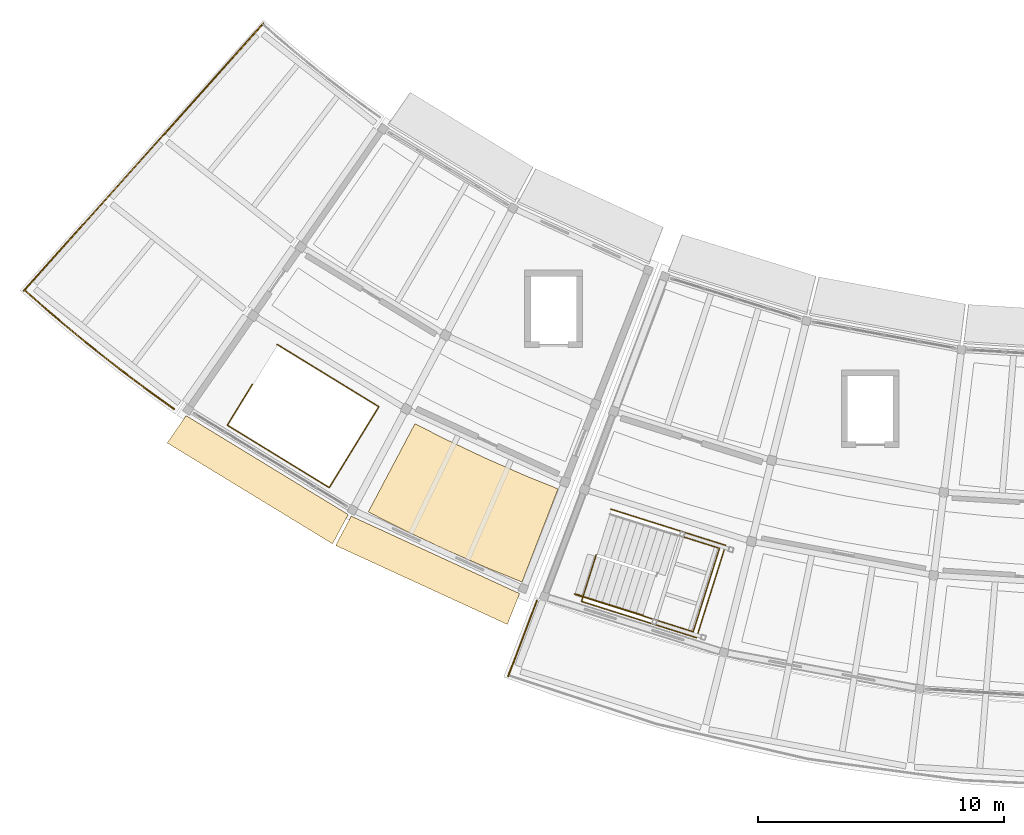
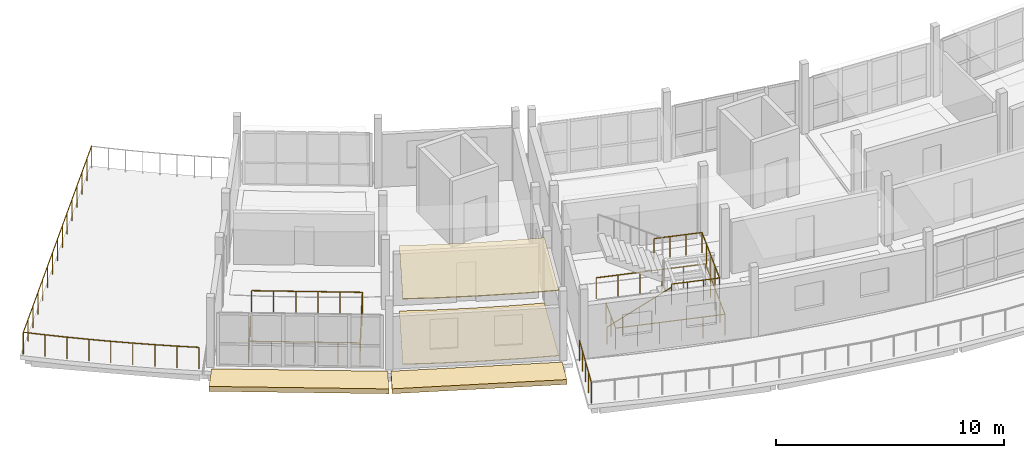
# One storey, part 20 of 24: 7 railings, 4 coverings.
"""IFC4 building model written with IfcOpenShell, lengths in metres."""

from ifc_helpers import new_model, si_unit, direction, frame, origin, origin_2d, place, context, subcontext, project, spatial, polyline, circle, outline, extrude, material, layer, layer_set, type_object, element, save


model = new_model("IFC4")

# Units and contexts
model_context = context("Model", 3, precision=1e-05, world=origin(), true_north=direction((0.0, 1.0)))
body_context = subcontext(model_context, "Body", "Model", "MODEL_VIEW")
ifc_project = project(units=[si_unit("LENGTHUNIT", "METRE"), si_unit("AREAUNIT", "SQUARE_METRE"), si_unit("VOLUMEUNIT", "CUBIC_METRE"), si_unit("PLANEANGLEUNIT", "RADIAN"), si_unit("MASSUNIT", "GRAM", prefix="KILO")], contexts=[model_context])

# Site, building, storey
site_placement = place(None, origin())
site = spatial("IfcSite", under=ifc_project, at=site_placement, CompositionType="ELEMENT")
building_placement = place(site_placement, origin())
building = spatial("IfcBuilding", under=site, at=building_placement, Name="Caldaven Crescent School", CompositionType="ELEMENT")
storey_placement = place(building_placement, frame((0.0, 0.0, 15.639892578125)))
storey = spatial("IfcBuildingStorey", under=building, at=storey_placement, Name="L04", CompositionType="ELEMENT", Elevation=15.639892578125)

# Coverings
ifc_material_1 = material(Name="White architectural GFRC precast concrete C35/45 cladding", Category="concrete")
ifc_layer_1 = layer(ifc_material_1, 0.260009765625)
ifc_layer_set_1 = layer_set([ifc_layer_1], Name="White architectural GFRC precast concrete C35/45 cladding")
covering_type_1 = type_object("IfcCoveringType", Name="COV-CLD2", PredefinedType="CLADDING", material=ifc_layer_set_1)
covering_1_placement = place(storey_placement, frame((0.0, 0.0, -0.260009765625)))
element("IfcCovering", 1, at=covering_1_placement, inside=storey, type_object=covering_type_1, Name="CLD-OUT-L04-080", PredefinedType="CLADDING", context=body_context, shape_type="SweptSolid", body=[
    extrude(outline(polyline([(50.0810546875, 41.24853515625), (56.671630859375, 37.228515625), (56.03662109375, 36.037109375), (49.3125, 40.138916015625), (50.0810546875, 41.24853515625)])), origin(), (0.0, 0.0, 1.0), 0.260009765625),
])
covering_2_placement = place(storey_placement, frame((0.0, 0.0, -0.260009765625)))
element("IfcCovering", 2, at=covering_2_placement, inside=storey, type_object=covering_type_1, Name="CLD-OUT-L04-082", PredefinedType="CLADDING", context=body_context, shape_type="SweptSolid", body=[
    extrude(outline(polyline([(56.794677734375, 37.1630859375), (63.64013671875, 34.014892578125), (63.146484375, 32.75830078125), (56.162353515625, 35.970458984375), (56.794677734375, 37.1630859375)])), origin(), (0.0, 0.0, 1.0), 0.260009765625),
])
ifc_material_2 = material(Name="Perforated Pino Radiata acoustic timber baffle ceiling", Category="wood")
ifc_layer_2 = layer(ifc_material_2, 0.0380859375)
ifc_layer_set_2 = layer_set([ifc_layer_2], Name="Perforated Pino Radiata acoustic timber baffle ceiling")
covering_type_2 = type_object("IfcCoveringType", Name="COV-CLG2", PredefinedType="CEILING", material=ifc_layer_set_2)
covering_3_placement = place(storey_placement, frame((0.0, 0.0, 3.4921875)))
element("IfcCovering", 3, at=covering_3_placement, inside=storey, type_object=covering_type_2, Name="CLG-L04-185", PredefinedType="CEILING", context=body_context, shape_type="SweptSolid", body=[
    extrude(outline(polyline([(60.60498046875, 40.302490234375), (60.616943359375, 40.296875), (62.25390625, 39.521484375), (62.26611328125, 39.51611328125), (63.925048828125, 38.789306640625), (63.937255859375, 38.7841796875), (65.205810546875, 38.272216796875), (63.7421875, 34.4853515625), (62.356689453125, 35.044189453125), (60.576416015625, 35.82421875), (58.819580078125, 36.656494140625), (57.489013671875, 37.335205078125), (59.38671875, 40.92431640625), (60.60498046875, 40.302490234375)])), origin(), (0.0, 0.0, 1.0), 0.037841796875),
])
ifc_material_3 = material(Name="Polished terrazzo and acoustic linoleum flooring")
ifc_layer_3 = layer(ifc_material_3, 0.031982421875)
ifc_layer_set_3 = layer_set([ifc_layer_3], Name="Polished terrazzo and acoustic linoleum flooring")
covering_type_3 = type_object("IfcCoveringType", Name="COV-FLR3", PredefinedType="FLOORING", material=ifc_layer_set_3)
covering_4_placement = place(storey_placement, origin())
element("IfcCovering", 4, at=covering_4_placement, inside=storey, type_object=covering_type_3, Name="FLR-L04-185", PredefinedType="FLOORING", context=body_context, shape_type="SweptSolid", body=[
    extrude(outline(polyline([(59.38671875, 40.92431640625), (60.60498046875, 40.302490234375), (60.616943359375, 40.296875), (62.25390625, 39.521484375), (62.26611328125, 39.51611328125), (63.925048828125, 38.789306640625), (63.937255859375, 38.7841796875), (65.205810546875, 38.272216796875), (63.7421875, 34.4853515625), (62.356689453125, 35.044189453125), (60.576416015625, 35.82421875), (58.819580078125, 36.656494140625), (57.489013671875, 37.335205078125), (59.38671875, 40.92431640625)])), origin(), (0.0, 0.0, 1.0), 0.0322265625),
])

# Railings
ifc_material_4 = material(Name="Galvanised powder-coated steel balustrade ASTM A572 Grade 50", Category="steel")
railing_type_1 = type_object("IfcRailingType", Name="RAL-EXT2", PredefinedType="BALUSTRADE", material=ifc_material_4)
railing_1_placement = place(storey_placement, frame((64.344970703125, 33.72119140625, 0.0)))
element("IfcRailing", 5, at=railing_1_placement, inside=storey, type_object=railing_type_1, Name="GD-BT-L04-C-END0", PredefinedType="BALUSTRADE", context=body_context, shape_type="SweptSolid", body=[
    extrude(circle(Radius=0.02392578125, at=origin_2d()), frame((0.0, 0.0, 1.09619140625), z_axis=(-0.355100690227, -0.93482805895, 0.0), x_axis=(0.93482805895, -0.355100690227, 0.0)), (0.0, 0.0, 1.0), 3.2802734375),
    extrude(circle(Radius=0.02099609375, at=origin_2d()), origin(), (0.0, 0.0, 1.0), 1.072021484375),
    extrude(circle(Radius=0.02099609375, at=origin_2d()), frame((-0.291259765625, -0.7666015625, 0.0)), (0.0, 0.0, 1.0), 1.072021484375),
    extrude(circle(Radius=0.02099609375, at=origin_2d()), frame((-0.58251953125, -1.533203125, 0.0)), (0.0, 0.0, 1.0), 1.072021484375),
    extrude(circle(Radius=0.02099609375, at=origin_2d()), frame((-0.87353515625, -2.2998046875, 0.0)), (0.0, 0.0, 1.0), 1.072021484375),
    extrude(circle(Radius=0.02099609375, at=origin_2d()), frame((-1.164794921875, -3.06640625, 0.0)), (0.0, 0.0, 1.0), 1.072021484375),
])
railing_type_2 = type_object("IfcRailingType", Name="RAL-EXT4", PredefinedType="BALUSTRADE", material=ifc_material_4)
railing_2_placement = place(storey_placement, frame((43.509521484375, 46.359619140625, 0.0)))
element("IfcRailing", 6, at=railing_2_placement, inside=storey, type_object=railing_type_2, Name="GD-BT-L04-W-OUT", PredefinedType="BALUSTRADE", context=body_context, shape_type="SweptSolid", body=[
    extrude(circle(Radius=0.02392578125, at=origin_2d()), frame((0.0, 0.0, 1.15576171875), z_axis=(0.749537537045, -0.661961842224, 0.0), x_axis=(0.661961842224, 0.749537537045, 0.0)), (0.0, 0.0, 1.0), 0.972900390625),
    extrude(circle(Radius=0.02392578125, at=origin_2d()), frame((0.729248046875, -0.64404296875, 1.15576171875), z_axis=(0.759114873081, -0.650956687858, 0.0), x_axis=(0.650956687858, 0.759114873081, 0.0)), (0.0, 0.0, 1.0), 0.972900390625),
    extrude(circle(Radius=0.02392578125, at=origin_2d()), frame((1.4677734375, -1.27734375, 1.15576171875), z_axis=(0.768653064022, -0.639665902772, 0.0), x_axis=(0.639665902772, 0.768653064022, 0.0)), (0.0, 0.0, 1.0), 0.972900390625),
    extrude(circle(Radius=0.02392578125, at=origin_2d()), frame((2.215576171875, -1.899658203125, 1.15576171875), z_axis=(0.777700505722, -0.628634968324, 0.0), x_axis=(0.628634968324, 0.777700505722, 0.0)), (0.0, 0.0, 1.0), 0.972900390625),
    extrude(circle(Radius=0.02392578125, at=origin_2d()), frame((2.97216796875, -2.51123046875, 1.15576171875), z_axis=(0.786927479185, -0.617045494679, 0.0), x_axis=(0.617045494679, 0.786927479185, 0.0)), (0.0, 0.0, 1.0), 0.972900390625),
    extrude(circle(Radius=0.02392578125, at=origin_2d()), frame((3.73779296875, -3.111572265625, 1.15576171875), z_axis=(0.79576561516, -0.6056047273, 0.0), x_axis=(0.6056047273, 0.79576561516, 0.0)), (0.0, 0.0, 1.0), 0.97314453125),
    extrude(circle(Radius=0.02392578125, at=origin_2d()), frame((4.51220703125, -3.700927734375, 1.15576171875), z_axis=(0.804614048975, -0.593798140947, 0.0), x_axis=(0.593798140947, 0.804614048975, 0.0)), (0.0, 0.0, 1.0), 0.972900390625),
    extrude(circle(Radius=0.02392578125, at=origin_2d()), frame((5.294921875, -4.278564453125, 1.15576171875), z_axis=(0.81305469343, -0.582187311345, 0.0), x_axis=(0.582187311345, 0.81305469343, 0.0)), (0.0, 0.0, 1.0), 0.972900390625),
    extrude(circle(Radius=0.02099609375, at=origin_2d()), origin(), (0.0, 0.0, 1.0), 1.1318359375),
    extrude(circle(Radius=0.02099609375, at=origin_2d()), frame((0.729248046875, -0.64404296875, 0.0)), (0.0, 0.0, 1.0), 1.1318359375),
    extrude(circle(Radius=0.02099609375, at=origin_2d()), frame((1.4677734375, -1.27734375, 0.0)), (0.0, 0.0, 1.0), 1.1318359375),
    extrude(circle(Radius=0.02099609375, at=origin_2d()), frame((2.215576171875, -1.899658203125, 0.0)), (0.0, 0.0, 1.0), 1.1318359375),
    extrude(circle(Radius=0.02099609375, at=origin_2d()), frame((2.97216796875, -2.51123046875, 0.0)), (0.0, 0.0, 1.0), 1.1318359375),
    extrude(circle(Radius=0.02099609375, at=origin_2d()), frame((3.73779296875, -3.111572265625, 0.0)), (0.0, 0.0, 1.0), 1.1318359375),
    extrude(circle(Radius=0.02099609375, at=origin_2d()), frame((4.51220703125, -3.700927734375, 0.0)), (0.0, 0.0, 1.0), 1.1318359375),
    extrude(circle(Radius=0.02099609375, at=origin_2d()), frame((5.294921875, -4.278564453125, 0.0)), (0.0, 0.0, 1.0), 1.1318359375),
    extrude(circle(Radius=0.02099609375, at=origin_2d()), frame((6.0859375, -4.844970703125, 0.0)), (0.0, 0.0, 1.0), 1.1318359375),
])
railing_3_placement = place(storey_placement, frame((53.227294921875, 57.2021484375, 0.0)))
element("IfcRailing", 7, at=railing_3_placement, inside=storey, type_object=railing_type_2, Name="GD-BT-L04-W-END", PredefinedType="BALUSTRADE", context=body_context, shape_type="SweptSolid", body=[
    extrude(circle(Radius=0.02392578125, at=origin_2d()), frame((0.0, 0.0, 1.15576171875), z_axis=(-0.66742321326, -0.744678624912, 0.0), x_axis=(0.744678624912, -0.66742321326, 0.0)), (0.0, 0.0, 1.0), 14.60009765625),
    extrude(circle(Radius=0.02099609375, at=origin_2d()), origin(), (0.0, 0.0, 1.0), 1.1318359375),
    extrude(circle(Radius=0.02099609375, at=origin_2d()), frame((-0.696044921875, -0.776611328125, 0.0)), (0.0, 0.0, 1.0), 1.1318359375),
    extrude(circle(Radius=0.02099609375, at=origin_2d()), frame((-1.39208984375, -1.55322265625, 0.0)), (0.0, 0.0, 1.0), 1.1318359375),
    extrude(circle(Radius=0.02099609375, at=origin_2d()), frame((-2.088134765625, -2.329833984375, 0.0)), (0.0, 0.0, 1.0), 1.1318359375),
    extrude(circle(Radius=0.02099609375, at=origin_2d()), frame((-2.7841796875, -3.1064453125, 0.0)), (0.0, 0.0, 1.0), 1.1318359375),
    extrude(circle(Radius=0.02099609375, at=origin_2d()), frame((-3.480224609375, -3.883056640625, 0.0)), (0.0, 0.0, 1.0), 1.1318359375),
    extrude(circle(Radius=0.02099609375, at=origin_2d()), frame((-4.17626953125, -4.65966796875, 0.0)), (0.0, 0.0, 1.0), 1.1318359375),
    extrude(circle(Radius=0.02099609375, at=origin_2d()), frame((-4.8720703125, -5.43603515625, 0.0)), (0.0, 0.0, 1.0), 1.1318359375),
    extrude(circle(Radius=0.02099609375, at=origin_2d()), frame((-5.568115234375, -6.212646484375, 0.0)), (0.0, 0.0, 1.0), 1.1318359375),
    extrude(circle(Radius=0.02099609375, at=origin_2d()), frame((-6.26416015625, -6.9892578125, 0.0)), (0.0, 0.0, 1.0), 1.1318359375),
    extrude(circle(Radius=0.02099609375, at=origin_2d()), frame((-6.960205078125, -7.765869140625, 0.0)), (0.0, 0.0, 1.0), 1.1318359375),
    extrude(circle(Radius=0.02099609375, at=origin_2d()), frame((-7.65625, -8.54248046875, 0.0)), (0.0, 0.0, 1.0), 1.1318359375),
    extrude(circle(Radius=0.02099609375, at=origin_2d()), frame((-8.352294921875, -9.319091796875, 0.0)), (0.0, 0.0, 1.0), 1.1318359375),
    extrude(circle(Radius=0.02099609375, at=origin_2d()), frame((-9.04833984375, -10.095703125, 0.0)), (0.0, 0.0, 1.0), 1.1318359375),
    extrude(circle(Radius=0.02099609375, at=origin_2d()), frame((-9.744384765625, -10.872314453125, 0.0)), (0.0, 0.0, 1.0), 1.1318359375),
])
ifc_material_5 = material(Name="Brushed stainless-steel continuous tubular handrail", Category="steel")
railing_type_3 = type_object("IfcRailingType", Name="RAL-HR4", PredefinedType="HANDRAIL", material=ifc_material_5)
railing_4_placement = place(storey_placement, frame((65.89111328125, 33.993408203125, 0.173095703125)))
element("IfcRailing", 8, at=railing_4_placement, inside=storey, type_object=railing_type_3, Name="HR-ST2-L04-F1", PredefinedType="HANDRAIL", context=body_context, shape_type="SweptSolid", body=[
    extrude(circle(Radius=0.02392578125, at=origin_2d()), frame((0.0, 0.0, 0.916015625), z_axis=(0.822759414235, -0.259436496085, 0.50572685393), x_axis=(0.300728414298, 0.953709820036, 0.0)), (0.0, 0.0, 1.0), 3.361328125),
    extrude(circle(Radius=0.02099609375, at=origin_2d()), origin(), (0.0, 0.0, 1.0), 0.891845703125),
    extrude(circle(Radius=0.02099609375, at=origin_2d()), frame((0.69140625, -0.218017578125, 0.425048828125)), (0.0, 0.0, 1.0), 0.891845703125),
    extrude(circle(Radius=0.02099609375, at=origin_2d()), frame((1.3828125, -0.43603515625, 0.85009765625)), (0.0, 0.0, 1.0), 0.891845703125),
    extrude(circle(Radius=0.02099609375, at=origin_2d()), frame((2.07421875, -0.654052734375, 1.27490234375)), (0.0, 0.0, 1.0), 0.891845703125),
    extrude(circle(Radius=0.02099609375, at=origin_2d()), frame((2.765625, -0.8720703125, 1.699951171875)), (0.0, 0.0, 1.0), 0.891845703125),
])
ifc_material_6 = material(Name="Powder-coated tubular steel balustrade ASTM A572 Grade 50", Category="steel")
railing_type_4 = type_object("IfcRailingType", Name="RAL-INT2", PredefinedType="BALUSTRADE", material=ifc_material_6)
railing_5_placement = place(storey_placement, frame((68.65234375, 33.107177734375, 1.8701171875)))
element("IfcRailing", 9, at=railing_5_placement, inside=storey, type_object=railing_type_4, Name="GD-LND-ST2-L04", PredefinedType="BALUSTRADE", context=body_context, shape_type="SweptSolid", body=[
    extrude(circle(Radius=0.02392578125, at=origin_2d()), frame((0.0, 0.0, 1.09619140625), z_axis=(0.953723285408, -0.300685707794, 0.0), x_axis=(0.300685707794, 0.953723285408, 0.0)), (0.0, 0.0, 1.0), 2.150146484375),
    extrude(circle(Radius=0.02392578125, at=origin_2d()), frame((2.050537109375, -0.646484375, 1.09619140625), z_axis=(0.300671803588, 0.953727668953, 0.0), x_axis=(-0.953727668953, 0.300671803588, 0.0)), (0.0, 0.0, 1.0), 3.559814453125),
    extrude(circle(Radius=0.02392578125, at=origin_2d()), frame((3.120849609375, 2.74853515625, 1.09619140625), z_axis=(-0.953680442686, 0.300821563786, 0.0), x_axis=(-0.300821563786, -0.953680442686, 0.0)), (0.0, 0.0, 1.0), 2.14990234375),
    extrude(circle(Radius=0.02099609375, at=origin_2d()), origin(), (0.0, 0.0, 1.0), 1.072021484375),
    extrude(circle(Radius=0.02099609375, at=origin_2d()), frame((0.68359375, -0.215576171875, 0.0)), (0.0, 0.0, 1.0), 1.072021484375),
    extrude(circle(Radius=0.02099609375, at=origin_2d()), frame((1.366943359375, -0.430908203125, 0.0)), (0.0, 0.0, 1.0), 1.072021484375),
    extrude(circle(Radius=0.02099609375, at=origin_2d()), frame((2.050537109375, -0.646484375, 0.0)), (0.0, 0.0, 1.0), 1.072021484375),
    extrude(circle(Radius=0.02099609375, at=origin_2d()), frame((2.318115234375, 0.2021484375, 0.0)), (0.0, 0.0, 1.0), 1.072021484375),
    extrude(circle(Radius=0.02099609375, at=origin_2d()), frame((2.585693359375, 1.051025390625, 0.0)), (0.0, 0.0, 1.0), 1.072021484375),
    extrude(circle(Radius=0.02099609375, at=origin_2d()), frame((2.853271484375, 1.89990234375, 0.0)), (0.0, 0.0, 1.0), 1.072021484375),
    extrude(circle(Radius=0.02099609375, at=origin_2d()), frame((3.120849609375, 2.74853515625, 0.0)), (0.0, 0.0, 1.0), 1.072021484375),
    extrude(circle(Radius=0.02099609375, at=origin_2d()), frame((2.4375, 2.964111328125, 0.0)), (0.0, 0.0, 1.0), 1.072021484375),
    extrude(circle(Radius=0.02099609375, at=origin_2d()), frame((1.75390625, 3.1796875, 0.0)), (0.0, 0.0, 1.0), 1.072021484375),
    extrude(circle(Radius=0.02099609375, at=origin_2d()), frame((1.070556640625, 3.395263671875, 0.0)), (0.0, 0.0, 1.0), 1.072021484375),
])
railing_type_5 = type_object("IfcRailingType", Name="RAL-INT3", PredefinedType="BALUSTRADE", material=ifc_material_6)
railing_6_placement = place(storey_placement, frame((52.7763671875, 42.524169921875, 0.0)))
element("IfcRailing", 10, at=railing_6_placement, inside=storey, type_object=railing_type_5, Name="GD-WELL-ST1-L04", PredefinedType="BALUSTRADE", context=body_context, shape_type="SweptSolid", body=[
    extrude(circle(Radius=0.02392578125, at=origin_2d()), frame((0.0, 0.0, 1.1259765625), z_axis=(-0.522427010479, -0.852684008717, 0.0), x_axis=(0.852684008717, -0.522427010479, 0.0)), (0.0, 0.0, 1.0), 1.9501953125),
    extrude(circle(Radius=0.02392578125, at=origin_2d()), frame((-1.018798828125, -1.662841796875, 1.1259765625), z_axis=(0.852648159218, -0.52248551806, 0.0), x_axis=(0.52248551806, 0.852648159218, 0.0)), (0.0, 0.0, 1.0), 4.86181640625),
    extrude(circle(Radius=0.02392578125, at=origin_2d()), frame((3.126708984375, -4.203125, 1.1259765625), z_axis=(0.522490866343, 0.852644881875, 0.0), x_axis=(-0.852644881875, 0.522490866343, 0.0)), (0.0, 0.0, 1.0), 3.860107421875),
    extrude(circle(Radius=0.02392578125, at=origin_2d()), frame((5.1435546875, -0.911865234375, 1.1259765625), z_axis=(-0.852648159218, 0.52248551806, 0.0), x_axis=(-0.52248551806, -0.852648159218, 0.0)), (0.0, 0.0, 1.0), 4.86181640625),
    extrude(circle(Radius=0.02099609375, at=origin_2d()), origin(), (0.0, 0.0, 1.0), 1.101806640625),
    extrude(circle(Radius=0.02099609375, at=origin_2d()), frame((-0.50927734375, -0.83154296875, 0.0)), (0.0, 0.0, 1.0), 1.101806640625),
    extrude(circle(Radius=0.02099609375, at=origin_2d()), frame((-1.018798828125, -1.662841796875, 0.0)), (0.0, 0.0, 1.0), 1.101806640625),
    extrude(circle(Radius=0.02099609375, at=origin_2d()), frame((-0.189697265625, -2.1708984375, 0.0)), (0.0, 0.0, 1.0), 1.101806640625),
    extrude(circle(Radius=0.02099609375, at=origin_2d()), frame((0.639404296875, -2.678955078125, 0.0)), (0.0, 0.0, 1.0), 1.101806640625),
    extrude(circle(Radius=0.02099609375, at=origin_2d()), frame((1.468505859375, -3.18701171875, 0.0)), (0.0, 0.0, 1.0), 1.101806640625),
    extrude(circle(Radius=0.02099609375, at=origin_2d()), frame((2.297607421875, -3.695068359375, 0.0)), (0.0, 0.0, 1.0), 1.101806640625),
    extrude(circle(Radius=0.02099609375, at=origin_2d()), frame((3.126708984375, -4.203125, 0.0)), (0.0, 0.0, 1.0), 1.101806640625),
    extrude(circle(Radius=0.02099609375, at=origin_2d()), frame((3.630859375, -3.38037109375, 0.0)), (0.0, 0.0, 1.0), 1.101806640625),
    extrude(circle(Radius=0.02099609375, at=origin_2d()), frame((4.13525390625, -2.5576171875, 0.0)), (0.0, 0.0, 1.0), 1.101806640625),
    extrude(circle(Radius=0.02099609375, at=origin_2d()), frame((4.639404296875, -1.734619140625, 0.0)), (0.0, 0.0, 1.0), 1.101806640625),
    extrude(circle(Radius=0.02099609375, at=origin_2d()), frame((5.1435546875, -0.911865234375, 0.0)), (0.0, 0.0, 1.0), 1.101806640625),
    extrude(circle(Radius=0.02099609375, at=origin_2d()), frame((4.314453125, -0.40380859375, 0.0)), (0.0, 0.0, 1.0), 1.101806640625),
    extrude(circle(Radius=0.02099609375, at=origin_2d()), frame((3.4853515625, 0.104248046875, 0.0)), (0.0, 0.0, 1.0), 1.101806640625),
    extrude(circle(Radius=0.02099609375, at=origin_2d()), frame((2.65625, 0.6123046875, 0.0)), (0.0, 0.0, 1.0), 1.101806640625),
    extrude(circle(Radius=0.02099609375, at=origin_2d()), frame((1.8271484375, 1.120361328125, 0.0)), (0.0, 0.0, 1.0), 1.101806640625),
    extrude(circle(Radius=0.02099609375, at=origin_2d()), frame((0.998046875, 1.62841796875, 0.0)), (0.0, 0.0, 1.0), 1.101806640625),
])
railing_7_placement = place(storey_placement, frame((66.759765625, 35.59130859375, 0.0)))
element("IfcRailing", 11, at=railing_7_placement, inside=storey, type_object=railing_type_5, Name="GD-WELL-ST2-L04", PredefinedType="BALUSTRADE", context=body_context, shape_type="SweptSolid", body=[
    extrude(circle(Radius=0.02392578125, at=origin_2d()), frame((0.0, 0.0, 1.1259765625), z_axis=(-0.30080256489, -0.953686435342, 0.0), x_axis=(0.953686435342, -0.30080256489, 0.0)), (0.0, 0.0, 1.0), 1.990234375),
    extrude(circle(Radius=0.02392578125, at=origin_2d()), frame((-0.5986328125, -1.89794921875, 1.1259765625), z_axis=(0.953716548074, -0.30070707662, 0.0), x_axis=(0.30070707662, 0.953716548074, 0.0)), (0.0, 0.0, 1.0), 4.902099609375),
    extrude(circle(Radius=0.02392578125, at=origin_2d()), frame((4.07666015625, -3.3720703125, 1.1259765625), z_axis=(0.300719120194, 0.953712750649, 0.0), x_axis=(-0.953712750649, 0.300719120194, 0.0)), (0.0, 0.0, 1.0), 3.93994140625),
    extrude(circle(Radius=0.02392578125, at=origin_2d()), frame((5.261474609375, 0.385498046875, 1.1259765625), z_axis=(-0.953716548074, 0.30070707662, 0.0), x_axis=(-0.30070707662, -0.953716548074, 0.0)), (0.0, 0.0, 1.0), 4.902099609375),
    extrude(circle(Radius=0.02099609375, at=origin_2d()), origin(), (0.0, 0.0, 1.0), 1.101806640625),
    extrude(circle(Radius=0.02099609375, at=origin_2d()), frame((-0.29931640625, -0.948974609375, 0.0)), (0.0, 0.0, 1.0), 1.101806640625),
    extrude(circle(Radius=0.02099609375, at=origin_2d()), frame((-0.5986328125, -1.89794921875, 0.0)), (0.0, 0.0, 1.0), 1.101806640625),
    extrude(circle(Radius=0.02099609375, at=origin_2d()), frame((0.33642578125, -2.19287109375, 0.0)), (0.0, 0.0, 1.0), 1.101806640625),
    extrude(circle(Radius=0.02099609375, at=origin_2d()), frame((1.271484375, -2.487548828125, 0.0)), (0.0, 0.0, 1.0), 1.101806640625),
    extrude(circle(Radius=0.02099609375, at=origin_2d()), frame((2.20654296875, -2.782470703125, 0.0)), (0.0, 0.0, 1.0), 1.101806640625),
    extrude(circle(Radius=0.02099609375, at=origin_2d()), frame((3.1416015625, -3.0771484375, 0.0)), (0.0, 0.0, 1.0), 1.101806640625),
    extrude(circle(Radius=0.02099609375, at=origin_2d()), frame((4.07666015625, -3.3720703125, 0.0)), (0.0, 0.0, 1.0), 1.101806640625),
    extrude(circle(Radius=0.02099609375, at=origin_2d()), frame((4.372802734375, -2.4326171875, 0.0)), (0.0, 0.0, 1.0), 1.101806640625),
    extrude(circle(Radius=0.02099609375, at=origin_2d()), frame((4.6689453125, -1.4931640625, 0.0)), (0.0, 0.0, 1.0), 1.101806640625),
    extrude(circle(Radius=0.02099609375, at=origin_2d()), frame((4.96533203125, -0.553955078125, 0.0)), (0.0, 0.0, 1.0), 1.101806640625),
    extrude(circle(Radius=0.02099609375, at=origin_2d()), frame((5.261474609375, 0.385498046875, 0.0)), (0.0, 0.0, 1.0), 1.101806640625),
    extrude(circle(Radius=0.02099609375, at=origin_2d()), frame((4.326416015625, 0.680419921875, 0.0)), (0.0, 0.0, 1.0), 1.101806640625),
    extrude(circle(Radius=0.02099609375, at=origin_2d()), frame((3.391357421875, 0.97509765625, 0.0)), (0.0, 0.0, 1.0), 1.101806640625),
    extrude(circle(Radius=0.02099609375, at=origin_2d()), frame((2.456298828125, 1.27001953125, 0.0)), (0.0, 0.0, 1.0), 1.101806640625),
    extrude(circle(Radius=0.02099609375, at=origin_2d()), frame((1.521240234375, 1.564697265625, 0.0)), (0.0, 0.0, 1.0), 1.101806640625),
    extrude(circle(Radius=0.02099609375, at=origin_2d()), frame((0.586181640625, 1.859619140625, 0.0)), (0.0, 0.0, 1.0), 1.101806640625),
])

save(model, "model.ifc")
